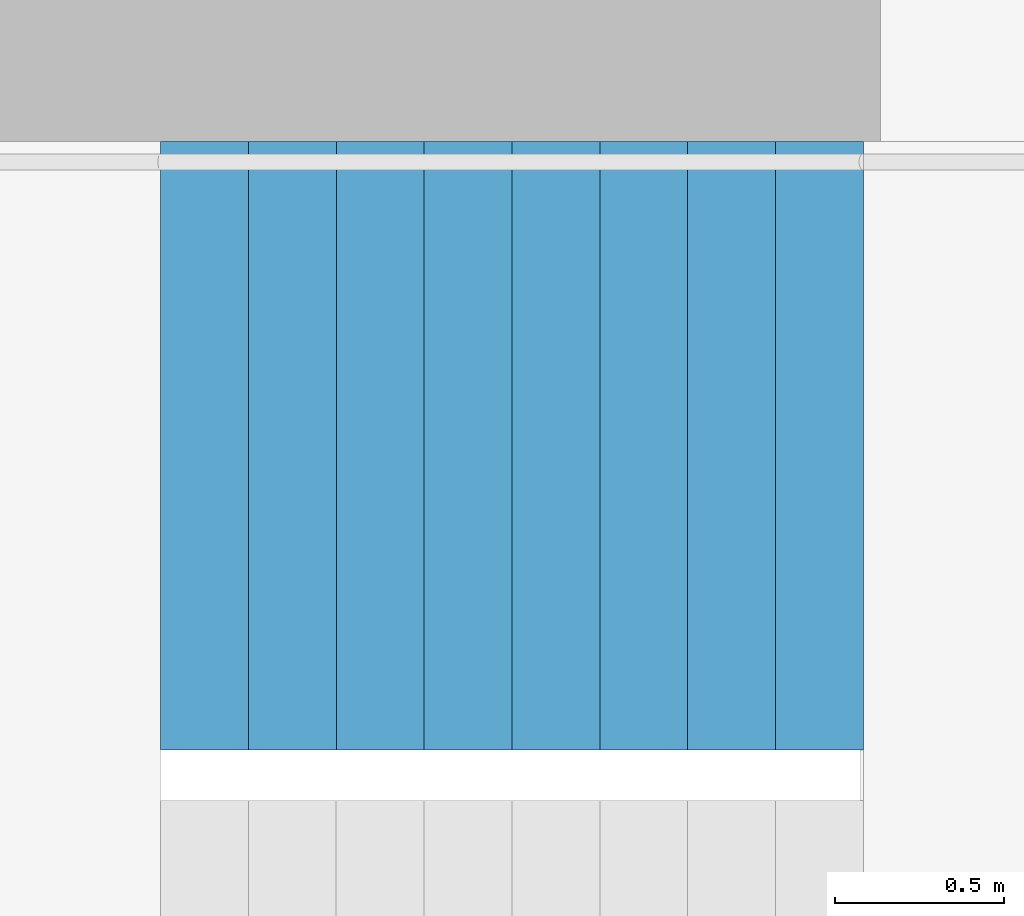
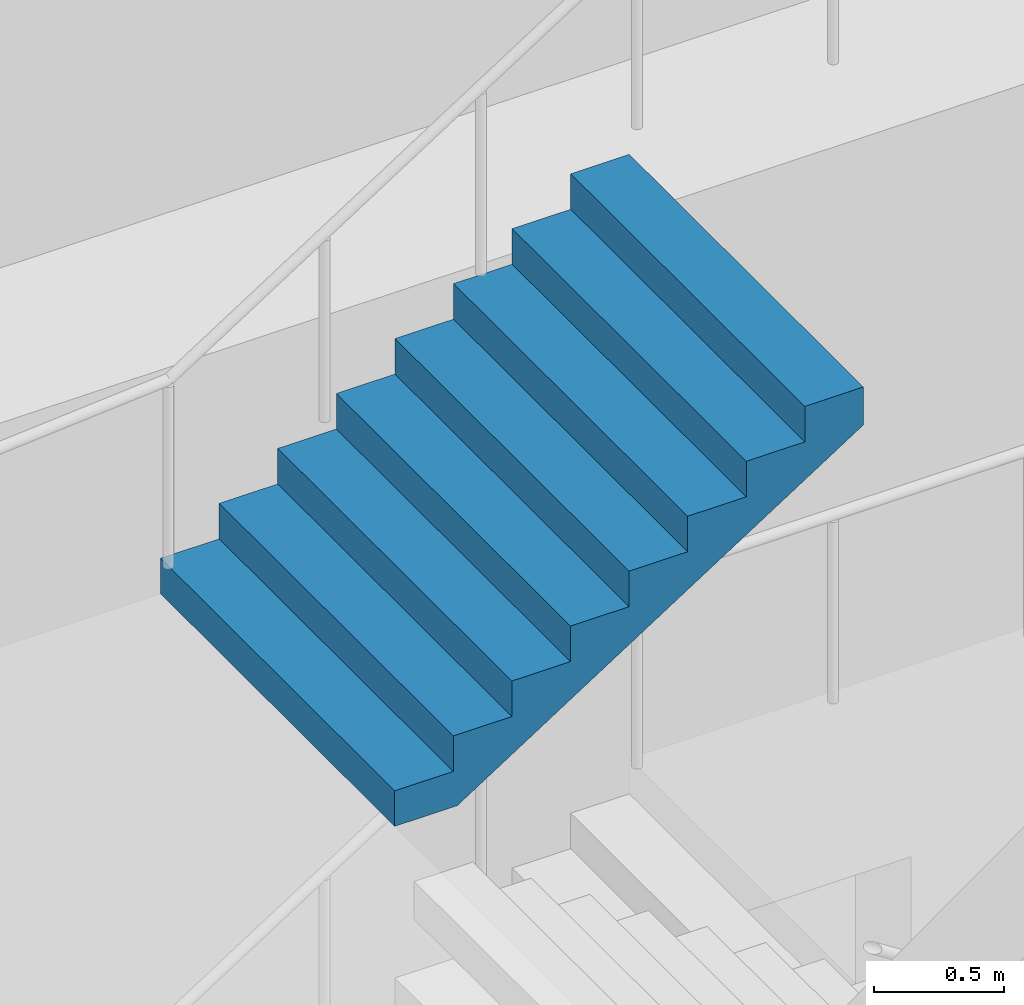
# One storey, part 33 of 35: 1 stair flight, 1 element without a shape of its own.
"""IFC4 building model written with IfcOpenShell, lengths in metres."""

from ifc_helpers import new_model, si_unit, direction, frame, origin, place, context, subcontext, project, spatial, triangles, material, type_object, element, aggregate, save


model = new_model("IFC4")

# Units and contexts
model_context = context("Model", 3, precision=1e-05, world=origin(), true_north=direction((0.0, 1.0)))
body_context = subcontext(model_context, "Body", "Model", "MODEL_VIEW")
ifc_project = project(units=[si_unit("LENGTHUNIT", "METRE"), si_unit("AREAUNIT", "SQUARE_METRE"), si_unit("VOLUMEUNIT", "CUBIC_METRE"), si_unit("PLANEANGLEUNIT", "RADIAN"), si_unit("MASSUNIT", "GRAM", prefix="KILO")], contexts=[model_context])

# Site, building, storey
site_placement = place(None, origin())
site = spatial("IfcSite", under=ifc_project, at=site_placement, CompositionType="ELEMENT")
building_placement = place(site_placement, origin())
building = spatial("IfcBuilding", under=site, at=building_placement, Name="Hakoniwa Tower and Hamabe Station Hall", CompositionType="ELEMENT")
storey_placement = place(building_placement, frame((0.0, 0.0, 270.60009765625)))
storey = spatial("IfcBuildingStorey", under=building, at=storey_placement, Name="L76", CompositionType="ELEMENT", Elevation=270.60009765625)

# Stair, stair flight
ifc_material_1 = material(Name="Concrete C40", Category="concrete")
stair_type = type_object("IfcStairType", Name="ESCAPE STAIR 1800", PredefinedType="HALF_TURN_STAIR", material=ifc_material_1)
stair_placement = place(storey_placement, origin())
stair = element("IfcStair", 1, at=stair_placement, inside=storey, type_object=stair_type, Name="Escape stair ST-3 L76", PredefinedType="HALF_TURN_STAIR")
ifc_material_2 = material(Name="Concrete C40", Category="concrete")
stair_flight_type = type_object("IfcStairFlightType", Name="STAIR FLIGHT 1800", PredefinedType="STRAIGHT", material=ifc_material_2)
stair_flight_placement = place(storey_placement, frame((22.320068359375, 6.60009765625, 4.5), z_axis=(0.0, 0.0, 1.0), x_axis=(1.0, 0.0, 0.0)))
stair_flight = element("IfcStairFlight", 2, at=stair_flight_placement, type_object=stair_flight_type, Name="ST-3 flight 4", NumberOfRisers=9, NumberOfTreads=8, PredefinedType="STRAIGHT", RiserHeight=0.166666667, TreadLength=0.26, context=body_context, shape_type="Tessellation", body=[
    triangles([(0.0, 0.89990234375, 0.0), (0.260009765625, 0.89990234375, 0.0), (0.27783203125, 0.89990234375, 0.0), (0.52001953125, 0.89990234375, 0.1552734375), (0.780029296875, 0.89990234375, 0.322021484375), (1.0400390625, 0.89990234375, 0.488525390625), (1.300048828125, 0.89990234375, 0.6552734375), (1.56005859375, 0.89990234375, 0.822021484375), (1.820068359375, 0.89990234375, 0.988525390625), (2.080078125, 0.89990234375, 1.1552734375), (2.080078125, 0.89990234375, 1.333251953125), (1.820068359375, 0.89990234375, 1.333251953125), (1.820068359375, 0.89990234375, 1.166748046875), (1.56005859375, 0.89990234375, 1.166748046875), (1.56005859375, 0.89990234375, 1.0), (1.300048828125, 0.89990234375, 1.0), (1.300048828125, 0.89990234375, 0.833251953125), (1.0400390625, 0.89990234375, 0.833251953125), (1.0400390625, 0.89990234375, 0.666748046875), (0.780029296875, 0.89990234375, 0.666748046875), (0.780029296875, 0.89990234375, 0.5), (0.52001953125, 0.89990234375, 0.5), (0.52001953125, 0.89990234375, 0.333251953125), (0.27783203125, 0.89990234375, 0.333251953125), (0.260009765625, 0.89990234375, 0.333251953125), (0.260009765625, 0.89990234375, 0.166748046875), (0.0, 0.89990234375, 0.166748046875), (0.0, 0.06005859375, 0.0), (0.260009765625, 0.06005859375, 0.0), (0.27783203125, 0.06005859375, 0.0), (0.52001953125, 0.06005859375, 0.1552734375), (0.780029296875, 0.06005859375, 0.322021484375), (1.0400390625, 0.06005859375, 0.488525390625), (1.300048828125, 0.06005859375, 0.6552734375), (1.56005859375, 0.06005859375, 0.822021484375), (1.820068359375, 0.06005859375, 0.988525390625), (2.080078125, 0.06005859375, 1.1552734375), (2.080078125, 0.06005859375, 1.333251953125), (1.820068359375, 0.06005859375, 1.333251953125), (1.820068359375, 0.06005859375, 1.166748046875), (1.56005859375, 0.06005859375, 1.166748046875), (1.56005859375, 0.06005859375, 1.0), (1.300048828125, 0.06005859375, 1.0), (1.300048828125, 0.06005859375, 0.833251953125), (1.0400390625, 0.06005859375, 0.833251953125), (1.0400390625, 0.06005859375, 0.666748046875), (0.780029296875, 0.06005859375, 0.666748046875), (0.780029296875, 0.06005859375, 0.5), (0.52001953125, 0.06005859375, 0.5), (0.52001953125, 0.06005859375, 0.333251953125), (0.27783203125, 0.06005859375, 0.333251953125), (0.260009765625, 0.06005859375, 0.333251953125), (0.260009765625, 0.06005859375, 0.166748046875), (0.0, 0.06005859375, 0.166748046875), (0.0, 0.04296875, 0.0), (0.260009765625, 0.04296875, 0.0), (0.27783203125, 0.04296875, 0.0), (0.52001953125, 0.04296875, 0.1552734375), (0.780029296875, 0.04296875, 0.322021484375), (1.0400390625, 0.04296875, 0.488525390625), (1.300048828125, 0.04296875, 0.6552734375), (1.56005859375, 0.04296875, 0.822021484375), (1.820068359375, 0.04296875, 0.988525390625), (2.080078125, 0.04296875, 1.1552734375), (2.080078125, 0.04296875, 1.333251953125), (1.820068359375, 0.04296875, 1.333251953125), (1.820068359375, 0.04296875, 1.166748046875), (1.56005859375, 0.04296875, 1.166748046875), (1.56005859375, 0.04296875, 1.0), (1.300048828125, 0.04296875, 1.0), (1.300048828125, 0.04296875, 0.833251953125), (1.0400390625, 0.04296875, 0.833251953125), (1.0400390625, 0.04296875, 0.666748046875), (0.780029296875, 0.04296875, 0.666748046875), (0.780029296875, 0.04296875, 0.5), (0.52001953125, 0.04296875, 0.5), (0.52001953125, 0.04296875, 0.333251953125), (0.27783203125, 0.04296875, 0.333251953125), (0.260009765625, 0.04296875, 0.333251953125), (0.260009765625, 0.04296875, 0.166748046875), (0.0, 0.04296875, 0.166748046875), (0.0, 0.025634765625, 0.0), (0.260009765625, 0.025634765625, 0.0), (0.27783203125, 0.025634765625, 0.0), (0.52001953125, 0.025634765625, 0.1552734375), (0.780029296875, 0.025634765625, 0.322021484375), (1.0400390625, 0.025634765625, 0.488525390625), (1.300048828125, 0.025634765625, 0.6552734375), (1.56005859375, 0.025634765625, 0.822021484375), (1.820068359375, 0.025634765625, 0.988525390625), (2.080078125, 0.025634765625, 1.1552734375), (2.080078125, 0.025634765625, 1.333251953125), (1.820068359375, 0.025634765625, 1.333251953125), (1.820068359375, 0.025634765625, 1.166748046875), (1.56005859375, 0.025634765625, 1.166748046875), (1.56005859375, 0.025634765625, 1.0), (1.300048828125, 0.025634765625, 1.0), (1.300048828125, 0.025634765625, 0.833251953125), (1.0400390625, 0.025634765625, 0.833251953125), (1.0400390625, 0.025634765625, 0.666748046875), (0.780029296875, 0.025634765625, 0.666748046875), (0.780029296875, 0.025634765625, 0.5), (0.52001953125, 0.025634765625, 0.5), (0.52001953125, 0.025634765625, 0.333251953125), (0.27783203125, 0.025634765625, 0.333251953125), (0.260009765625, 0.025634765625, 0.333251953125), (0.260009765625, 0.025634765625, 0.166748046875), (0.0, 0.025634765625, 0.166748046875), (0.0, 0.008544921875, 0.0), (0.260009765625, 0.008544921875, 0.0), (0.27783203125, 0.008544921875, 0.0), (0.52001953125, 0.008544921875, 0.1552734375), (0.780029296875, 0.008544921875, 0.322021484375), (1.0400390625, 0.008544921875, 0.488525390625), (1.300048828125, 0.008544921875, 0.6552734375), (1.56005859375, 0.008544921875, 0.822021484375), (1.820068359375, 0.008544921875, 0.988525390625), (2.080078125, 0.008544921875, 1.1552734375), (2.080078125, 0.008544921875, 1.333251953125), (1.820068359375, 0.008544921875, 1.333251953125), (1.820068359375, 0.008544921875, 1.166748046875), (1.56005859375, 0.008544921875, 1.166748046875), (1.56005859375, 0.008544921875, 1.0), (1.300048828125, 0.008544921875, 1.0), (1.300048828125, 0.008544921875, 0.833251953125), (1.0400390625, 0.008544921875, 0.833251953125), (1.0400390625, 0.008544921875, 0.666748046875), (0.780029296875, 0.008544921875, 0.666748046875), (0.780029296875, 0.008544921875, 0.5), (0.52001953125, 0.008544921875, 0.5), (0.52001953125, 0.008544921875, 0.333251953125), (0.27783203125, 0.008544921875, 0.333251953125), (0.260009765625, 0.008544921875, 0.333251953125), (0.260009765625, 0.008544921875, 0.166748046875), (0.0, 0.008544921875, 0.166748046875), (0.0, -0.008544921875, 0.0), (0.260009765625, -0.008544921875, 0.0), (0.27783203125, -0.008544921875, 0.0), (0.52001953125, -0.008544921875, 0.1552734375), (0.780029296875, -0.008544921875, 0.322021484375), (1.0400390625, -0.008544921875, 0.488525390625), (1.300048828125, -0.008544921875, 0.6552734375), (1.56005859375, -0.008544921875, 0.822021484375), (1.820068359375, -0.008544921875, 0.988525390625), (2.080078125, -0.008544921875, 1.1552734375), (2.080078125, -0.008544921875, 1.333251953125), (1.820068359375, -0.008544921875, 1.333251953125), (1.820068359375, -0.008544921875, 1.166748046875), (1.56005859375, -0.008544921875, 1.166748046875), (1.56005859375, -0.008544921875, 1.0), (1.300048828125, -0.008544921875, 1.0), (1.300048828125, -0.008544921875, 0.833251953125), (1.0400390625, -0.008544921875, 0.833251953125), (1.0400390625, -0.008544921875, 0.666748046875), (0.780029296875, -0.008544921875, 0.666748046875), (0.780029296875, -0.008544921875, 0.5), (0.52001953125, -0.008544921875, 0.5), (0.52001953125, -0.008544921875, 0.333251953125), (0.27783203125, -0.008544921875, 0.333251953125), (0.260009765625, -0.008544921875, 0.333251953125), (0.260009765625, -0.008544921875, 0.166748046875), (0.0, -0.008544921875, 0.166748046875), (0.0, -0.025634765625, 0.0), (0.260009765625, -0.025634765625, 0.0), (0.27783203125, -0.025634765625, 0.0), (0.52001953125, -0.025634765625, 0.1552734375), (0.780029296875, -0.025634765625, 0.322021484375), (1.0400390625, -0.025634765625, 0.488525390625), (1.300048828125, -0.025634765625, 0.6552734375), (1.56005859375, -0.025634765625, 0.822021484375), (1.820068359375, -0.025634765625, 0.988525390625), (2.080078125, -0.025634765625, 1.1552734375), (2.080078125, -0.025634765625, 1.333251953125), (1.820068359375, -0.025634765625, 1.333251953125), (1.820068359375, -0.025634765625, 1.166748046875), (1.56005859375, -0.025634765625, 1.166748046875), (1.56005859375, -0.025634765625, 1.0), (1.300048828125, -0.025634765625, 1.0), (1.300048828125, -0.025634765625, 0.833251953125), (1.0400390625, -0.025634765625, 0.833251953125), (1.0400390625, -0.025634765625, 0.666748046875), (0.780029296875, -0.025634765625, 0.666748046875), (0.780029296875, -0.025634765625, 0.5), (0.52001953125, -0.025634765625, 0.5), (0.52001953125, -0.025634765625, 0.333251953125), (0.27783203125, -0.025634765625, 0.333251953125), (0.260009765625, -0.025634765625, 0.333251953125), (0.260009765625, -0.025634765625, 0.166748046875), (0.0, -0.025634765625, 0.166748046875), (0.0, -0.04296875, 0.0), (0.260009765625, -0.04296875, 0.0), (0.27783203125, -0.04296875, 0.0), (0.52001953125, -0.04296875, 0.1552734375), (0.780029296875, -0.04296875, 0.322021484375), (1.0400390625, -0.04296875, 0.488525390625), (1.300048828125, -0.04296875, 0.6552734375), (1.56005859375, -0.04296875, 0.822021484375), (1.820068359375, -0.04296875, 0.988525390625), (2.080078125, -0.04296875, 1.1552734375), (2.080078125, -0.04296875, 1.333251953125), (1.820068359375, -0.04296875, 1.333251953125), (1.820068359375, -0.04296875, 1.166748046875), (1.56005859375, -0.04296875, 1.166748046875), (1.56005859375, -0.04296875, 1.0), (1.300048828125, -0.04296875, 1.0), (1.300048828125, -0.04296875, 0.833251953125), (1.0400390625, -0.04296875, 0.833251953125), (1.0400390625, -0.04296875, 0.666748046875), (0.780029296875, -0.04296875, 0.666748046875), (0.780029296875, -0.04296875, 0.5), (0.52001953125, -0.04296875, 0.5), (0.52001953125, -0.04296875, 0.333251953125), (0.27783203125, -0.04296875, 0.333251953125), (0.260009765625, -0.04296875, 0.333251953125), (0.260009765625, -0.04296875, 0.166748046875), (0.0, -0.04296875, 0.166748046875), (0.0, -0.06005859375, 0.0), (0.260009765625, -0.06005859375, 0.0), (0.27783203125, -0.06005859375, 0.0), (0.52001953125, -0.06005859375, 0.1552734375), (0.780029296875, -0.06005859375, 0.322021484375), (1.0400390625, -0.06005859375, 0.488525390625), (1.300048828125, -0.06005859375, 0.6552734375), (1.56005859375, -0.06005859375, 0.822021484375), (1.820068359375, -0.06005859375, 0.988525390625), (2.080078125, -0.06005859375, 1.1552734375), (2.080078125, -0.06005859375, 1.333251953125), (1.820068359375, -0.06005859375, 1.333251953125), (1.820068359375, -0.06005859375, 1.166748046875), (1.56005859375, -0.06005859375, 1.166748046875), (1.56005859375, -0.06005859375, 1.0), (1.300048828125, -0.06005859375, 1.0), (1.300048828125, -0.06005859375, 0.833251953125), (1.0400390625, -0.06005859375, 0.833251953125), (1.0400390625, -0.06005859375, 0.666748046875), (0.780029296875, -0.06005859375, 0.666748046875), (0.780029296875, -0.06005859375, 0.5), (0.52001953125, -0.06005859375, 0.5), (0.52001953125, -0.06005859375, 0.333251953125), (0.27783203125, -0.06005859375, 0.333251953125), (0.260009765625, -0.06005859375, 0.333251953125), (0.260009765625, -0.06005859375, 0.166748046875), (0.0, -0.06005859375, 0.166748046875), (0.0, -0.89990234375, 0.0), (0.260009765625, -0.89990234375, 0.0), (0.27783203125, -0.89990234375, 0.0), (0.52001953125, -0.89990234375, 0.1552734375), (0.780029296875, -0.89990234375, 0.322021484375), (1.0400390625, -0.89990234375, 0.488525390625), (1.300048828125, -0.89990234375, 0.6552734375), (1.56005859375, -0.89990234375, 0.822021484375), (1.820068359375, -0.89990234375, 0.988525390625), (2.080078125, -0.89990234375, 1.1552734375), (2.080078125, -0.89990234375, 1.333251953125), (1.820068359375, -0.89990234375, 1.333251953125), (1.820068359375, -0.89990234375, 1.166748046875), (1.56005859375, -0.89990234375, 1.166748046875), (1.56005859375, -0.89990234375, 1.0), (1.300048828125, -0.89990234375, 1.0), (1.300048828125, -0.89990234375, 0.833251953125), (1.0400390625, -0.89990234375, 0.833251953125), (1.0400390625, -0.89990234375, 0.666748046875), (0.780029296875, -0.89990234375, 0.666748046875), (0.780029296875, -0.89990234375, 0.5), (0.52001953125, -0.89990234375, 0.5), (0.52001953125, -0.89990234375, 0.333251953125), (0.27783203125, -0.89990234375, 0.333251953125), (0.260009765625, -0.89990234375, 0.333251953125), (0.260009765625, -0.89990234375, 0.166748046875), (0.0, -0.89990234375, 0.166748046875)], [[2, 27, 26], [245, 269, 270], [2, 1, 27], [245, 270, 244], [3, 25, 24], [246, 267, 268], [3, 26, 25], [246, 268, 269], [3, 2, 26], [246, 269, 245], [4, 24, 23], [247, 266, 267], [4, 3, 24], [247, 267, 246], [5, 22, 21], [248, 264, 265], [5, 23, 22], [248, 265, 266], [5, 4, 23], [248, 266, 247], [6, 20, 19], [249, 262, 263], [6, 21, 20], [249, 263, 264], [6, 5, 21], [249, 264, 248], [7, 18, 17], [250, 260, 261], [7, 19, 18], [250, 261, 262], [7, 6, 19], [250, 262, 249], [8, 16, 15], [251, 258, 259], [8, 17, 16], [251, 259, 260], [8, 7, 17], [251, 260, 250], [9, 14, 13], [252, 256, 257], [9, 15, 14], [252, 257, 258], [9, 8, 15], [252, 258, 251], [10, 12, 11], [253, 254, 255], [10, 13, 12], [253, 255, 256], [10, 9, 13], [253, 256, 252], [1, 2, 29], [1, 29, 28], [28, 29, 56], [28, 56, 55], [55, 56, 83], [55, 83, 82], [82, 83, 110], [82, 110, 109], [109, 110, 137], [109, 137, 136], [136, 137, 164], [136, 164, 163], [163, 164, 191], [163, 191, 190], [190, 191, 218], [190, 218, 217], [217, 218, 245], [217, 245, 244], [2, 3, 30], [2, 30, 29], [29, 30, 57], [29, 57, 56], [56, 57, 84], [56, 84, 83], [83, 84, 111], [83, 111, 110], [110, 111, 138], [110, 138, 137], [137, 138, 165], [137, 165, 164], [164, 165, 192], [164, 192, 191], [191, 192, 219], [191, 219, 218], [218, 219, 246], [218, 246, 245], [3, 4, 31], [3, 31, 30], [30, 31, 58], [30, 58, 57], [57, 58, 85], [57, 85, 84], [84, 85, 112], [84, 112, 111], [111, 112, 139], [111, 139, 138], [138, 139, 166], [138, 166, 165], [165, 166, 193], [165, 193, 192], [192, 193, 220], [192, 220, 219], [219, 220, 247], [219, 247, 246], [4, 5, 32], [4, 32, 31], [31, 32, 59], [31, 59, 58], [58, 59, 86], [58, 86, 85], [85, 86, 113], [85, 113, 112], [112, 113, 140], [112, 140, 139], [139, 140, 167], [139, 167, 166], [166, 167, 194], [166, 194, 193], [193, 194, 221], [193, 221, 220], [220, 221, 248], [220, 248, 247], [5, 6, 33], [5, 33, 32], [32, 33, 60], [32, 60, 59], [59, 60, 87], [59, 87, 86], [86, 87, 114], [86, 114, 113], [113, 114, 141], [113, 141, 140], [140, 141, 168], [140, 168, 167], [167, 168, 195], [167, 195, 194], [194, 195, 222], [194, 222, 221], [221, 222, 249], [221, 249, 248], [6, 7, 34], [6, 34, 33], [33, 34, 61], [33, 61, 60], [60, 61, 88], [60, 88, 87], [87, 88, 115], [87, 115, 114], [114, 115, 142], [114, 142, 141], [141, 142, 169], [141, 169, 168], [168, 169, 196], [168, 196, 195], [195, 196, 223], [195, 223, 222], [222, 223, 250], [222, 250, 249], [7, 8, 35], [7, 35, 34], [34, 35, 62], [34, 62, 61], [61, 62, 89], [61, 89, 88], [88, 89, 116], [88, 116, 115], [115, 116, 143], [115, 143, 142], [142, 143, 170], [142, 170, 169], [169, 170, 197], [169, 197, 196], [196, 197, 224], [196, 224, 223], [223, 224, 251], [223, 251, 250], [8, 9, 36], [8, 36, 35], [35, 36, 63], [35, 63, 62], [62, 63, 90], [62, 90, 89], [89, 90, 117], [89, 117, 116], [116, 117, 144], [116, 144, 143], [143, 144, 171], [143, 171, 170], [170, 171, 198], [170, 198, 197], [197, 198, 225], [197, 225, 224], [224, 225, 252], [224, 252, 251], [9, 10, 37], [9, 37, 36], [36, 37, 64], [36, 64, 63], [63, 64, 91], [63, 91, 90], [90, 91, 118], [90, 118, 117], [117, 118, 145], [117, 145, 144], [144, 145, 172], [144, 172, 171], [171, 172, 199], [171, 199, 198], [198, 199, 226], [198, 226, 225], [225, 226, 253], [225, 253, 252], [10, 11, 38], [10, 38, 37], [37, 38, 65], [37, 65, 64], [64, 65, 92], [64, 92, 91], [91, 92, 119], [91, 119, 118], [118, 119, 146], [118, 146, 145], [145, 146, 173], [145, 173, 172], [172, 173, 200], [172, 200, 199], [199, 200, 227], [199, 227, 226], [226, 227, 254], [226, 254, 253], [11, 12, 39], [11, 39, 38], [38, 39, 66], [38, 66, 65], [65, 66, 93], [65, 93, 92], [92, 93, 120], [92, 120, 119], [119, 120, 147], [119, 147, 146], [146, 147, 174], [146, 174, 173], [173, 174, 201], [173, 201, 200], [200, 201, 228], [200, 228, 227], [227, 228, 255], [227, 255, 254], [12, 13, 40], [12, 40, 39], [39, 40, 67], [39, 67, 66], [66, 67, 94], [66, 94, 93], [93, 94, 121], [93, 121, 120], [120, 121, 148], [120, 148, 147], [147, 148, 175], [147, 175, 174], [174, 175, 202], [174, 202, 201], [201, 202, 229], [201, 229, 228], [228, 229, 256], [228, 256, 255], [13, 14, 41], [13, 41, 40], [40, 41, 68], [40, 68, 67], [67, 68, 95], [67, 95, 94], [94, 95, 122], [94, 122, 121], [121, 122, 149], [121, 149, 148], [148, 149, 176], [148, 176, 175], [175, 176, 203], [175, 203, 202], [202, 203, 230], [202, 230, 229], [229, 230, 257], [229, 257, 256], [14, 15, 42], [14, 42, 41], [41, 42, 69], [41, 69, 68], [68, 69, 96], [68, 96, 95], [95, 96, 123], [95, 123, 122], [122, 123, 150], [122, 150, 149], [149, 150, 177], [149, 177, 176], [176, 177, 204], [176, 204, 203], [203, 204, 231], [203, 231, 230], [230, 231, 258], [230, 258, 257], [15, 16, 43], [15, 43, 42], [42, 43, 70], [42, 70, 69], [69, 70, 97], [69, 97, 96], [96, 97, 124], [96, 124, 123], [123, 124, 151], [123, 151, 150], [150, 151, 178], [150, 178, 177], [177, 178, 205], [177, 205, 204], [204, 205, 232], [204, 232, 231], [231, 232, 259], [231, 259, 258], [16, 17, 44], [16, 44, 43], [43, 44, 71], [43, 71, 70], [70, 71, 98], [70, 98, 97], [97, 98, 125], [97, 125, 124], [124, 125, 152], [124, 152, 151], [151, 152, 179], [151, 179, 178], [178, 179, 206], [178, 206, 205], [205, 206, 233], [205, 233, 232], [232, 233, 260], [232, 260, 259], [17, 18, 45], [17, 45, 44], [44, 45, 72], [44, 72, 71], [71, 72, 99], [71, 99, 98], [98, 99, 126], [98, 126, 125], [125, 126, 153], [125, 153, 152], [152, 153, 180], [152, 180, 179], [179, 180, 207], [179, 207, 206], [206, 207, 234], [206, 234, 233], [233, 234, 261], [233, 261, 260], [18, 19, 46], [18, 46, 45], [45, 46, 73], [45, 73, 72], [72, 73, 100], [72, 100, 99], [99, 100, 127], [99, 127, 126], [126, 127, 154], [126, 154, 153], [153, 154, 181], [153, 181, 180], [180, 181, 208], [180, 208, 207], [207, 208, 235], [207, 235, 234], [234, 235, 262], [234, 262, 261], [19, 20, 47], [19, 47, 46], [46, 47, 74], [46, 74, 73], [73, 74, 101], [73, 101, 100], [100, 101, 128], [100, 128, 127], [127, 128, 155], [127, 155, 154], [154, 155, 182], [154, 182, 181], [181, 182, 209], [181, 209, 208], [208, 209, 236], [208, 236, 235], [235, 236, 263], [235, 263, 262], [20, 21, 48], [20, 48, 47], [47, 48, 75], [47, 75, 74], [74, 75, 102], [74, 102, 101], [101, 102, 129], [101, 129, 128], [128, 129, 156], [128, 156, 155], [155, 156, 183], [155, 183, 182], [182, 183, 210], [182, 210, 209], [209, 210, 237], [209, 237, 236], [236, 237, 264], [236, 264, 263], [21, 22, 49], [21, 49, 48], [48, 49, 76], [48, 76, 75], [75, 76, 103], [75, 103, 102], [102, 103, 130], [102, 130, 129], [129, 130, 157], [129, 157, 156], [156, 157, 184], [156, 184, 183], [183, 184, 211], [183, 211, 210], [210, 211, 238], [210, 238, 237], [237, 238, 265], [237, 265, 264], [22, 23, 50], [22, 50, 49], [49, 50, 77], [49, 77, 76], [76, 77, 104], [76, 104, 103], [103, 104, 131], [103, 131, 130], [130, 131, 158], [130, 158, 157], [157, 158, 185], [157, 185, 184], [184, 185, 212], [184, 212, 211], [211, 212, 239], [211, 239, 238], [238, 239, 266], [238, 266, 265], [23, 24, 51], [23, 51, 50], [50, 51, 78], [50, 78, 77], [77, 78, 105], [77, 105, 104], [104, 105, 132], [104, 132, 131], [131, 132, 159], [131, 159, 158], [158, 159, 186], [158, 186, 185], [185, 186, 213], [185, 213, 212], [212, 213, 240], [212, 240, 239], [239, 240, 267], [239, 267, 266], [24, 25, 52], [24, 52, 51], [51, 52, 79], [51, 79, 78], [78, 79, 106], [78, 106, 105], [105, 106, 133], [105, 133, 132], [132, 133, 160], [132, 160, 159], [159, 160, 187], [159, 187, 186], [186, 187, 214], [186, 214, 213], [213, 214, 241], [213, 241, 240], [240, 241, 268], [240, 268, 267], [25, 26, 53], [25, 53, 52], [52, 53, 80], [52, 80, 79], [79, 80, 107], [79, 107, 106], [106, 107, 134], [106, 134, 133], [133, 134, 161], [133, 161, 160], [160, 161, 188], [160, 188, 187], [187, 188, 215], [187, 215, 214], [214, 215, 242], [214, 242, 241], [241, 242, 269], [241, 269, 268], [26, 27, 54], [26, 54, 53], [53, 54, 81], [53, 81, 80], [80, 81, 108], [80, 108, 107], [107, 108, 135], [107, 135, 134], [134, 135, 162], [134, 162, 161], [161, 162, 189], [161, 189, 188], [188, 189, 216], [188, 216, 215], [215, 216, 243], [215, 243, 242], [242, 243, 270], [242, 270, 269], [27, 1, 28], [27, 28, 54], [54, 28, 55], [54, 55, 81], [81, 55, 82], [81, 82, 108], [108, 82, 109], [108, 109, 135], [135, 109, 136], [135, 136, 162], [162, 136, 163], [162, 163, 189], [189, 163, 190], [189, 190, 216], [216, 190, 217], [216, 217, 243], [243, 217, 244], [243, 244, 270]], closed=True),
])
aggregate(stair, [stair_flight])

save(model, "model.ifc")
